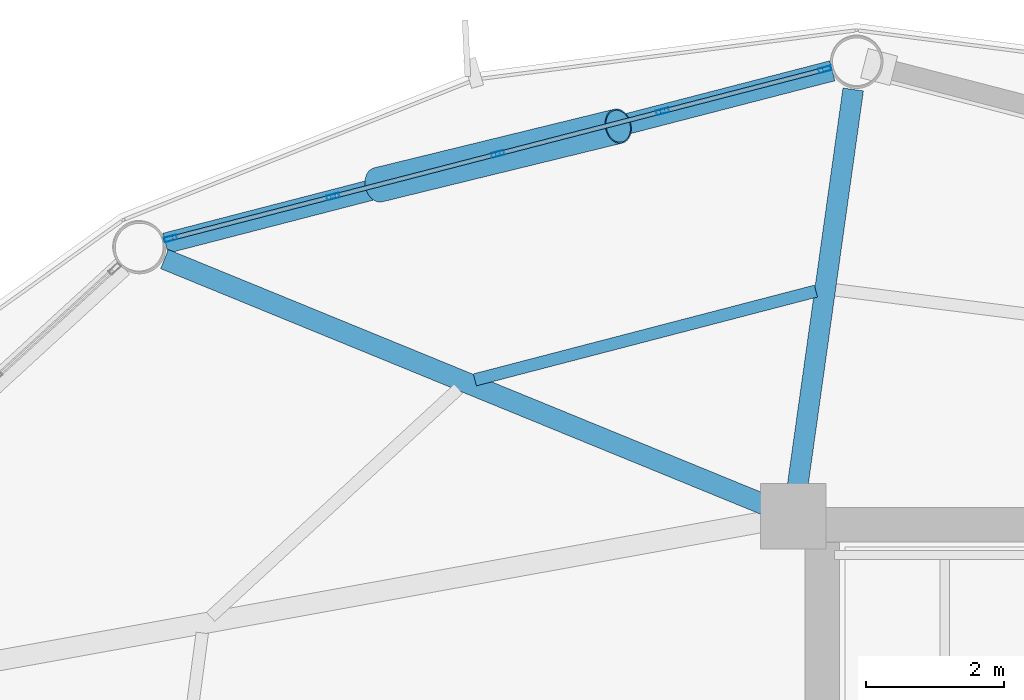
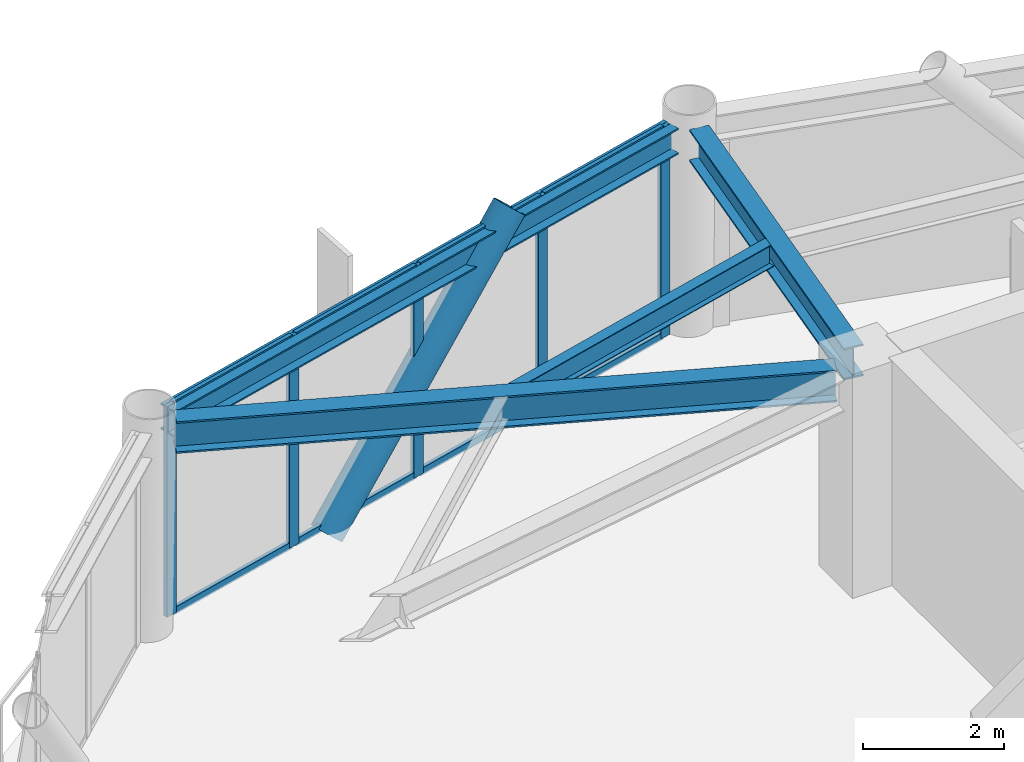
# One storey, part 17 of 26: 14 members, 4 beams, 1 element without a shape of its own.
"""IFC4 building model written with IfcOpenShell, lengths in metres."""

from ifc_helpers import new_model, si_unit, direction, frame, origin, origin_2d, place, context, subcontext, project, spatial, hollow_rectangle, hollow_circle, i_section, extrude, material, layer, layer_set, material_profile, profile_set, type_object, element, aggregate, save


model = new_model("IFC4")

# Units and contexts
model_context = context("Model", 3, precision=1e-05, world=origin(), true_north=direction((0.0, 1.0)))
body_context = subcontext(model_context, "Body", "Model", "MODEL_VIEW")
ifc_project = project(units=[si_unit("LENGTHUNIT", "METRE"), si_unit("AREAUNIT", "SQUARE_METRE"), si_unit("VOLUMEUNIT", "CUBIC_METRE"), si_unit("PLANEANGLEUNIT", "RADIAN"), si_unit("MASSUNIT", "GRAM", prefix="KILO")], contexts=[model_context])

# Site, building, storey
site_placement = place(None, origin())
site = spatial("IfcSite", under=ifc_project, at=site_placement, CompositionType="ELEMENT")
building_placement = place(site_placement, origin())
building = spatial("IfcBuilding", under=site, at=building_placement, Name="Varnakorn Sky Granary", CompositionType="ELEMENT")
storey_placement = place(building_placement, frame((0.0, 0.0, 138.300048828125)))
storey = spatial("IfcBuildingStorey", under=building, at=storey_placement, Name="L34", CompositionType="ELEMENT", Elevation=138.300048828125)

# Beams
ifc_material_1 = material(Name="Steel S355JR", Category="steel")
ifc_material_profile_1 = material_profile(ifc_material_1, i_section(OverallWidth=0.300048828125, OverallDepth=0.550048828125, WebThickness=0.014892578125, FlangeThickness=0.029052734375, at=origin_2d()), Name="HE 550 B")
ifc_profile_set_1 = profile_set([ifc_material_profile_1], Name="Steel S355JR")
beam_type_1 = type_object("IfcBeamType", Name="BM-RAD-Z3", PredefinedType="BEAM", material=ifc_profile_set_1)
beam_1_placement = place(storey_placement, frame((-2.36181640625, 13.035888671875, 3.364990234375), z_axis=(0.13884624558, 0.990313950264, 0.0), x_axis=(-0.990313950264, 0.13884624558, 0.0)))
element("IfcBeam", 1, at=beam_1_placement, inside=storey, type_object=beam_type_1, Name="Radial Floor Girder RG04 L34", PredefinedType="BEAM", context=body_context, shape_type="SweptSolid", body=[
    extrude(i_section(OverallWidth=0.300048828125, OverallDepth=0.550048828125, WebThickness=0.014892578125, FlangeThickness=0.029052734375, at=origin_2d()), origin(), (0.0, 0.0, 1.0), 5.84130859375),
])
beam_2_placement = place(storey_placement, frame((-2.80859375, 12.779052734375, 3.364990234375), z_axis=(-0.925494257641, 0.378761638863, 0.0), x_axis=(-0.378761638863, -0.925494257641, 0.0)))
element("IfcBeam", 2, at=beam_2_placement, inside=storey, type_object=beam_type_1, Name="Radial Floor Girder RG05 L34", PredefinedType="BEAM", context=body_context, shape_type="SweptSolid", body=[
    extrude(i_section(OverallWidth=0.300048828125, OverallDepth=0.550048828125, WebThickness=0.014892578125, FlangeThickness=0.029052734375, at=origin_2d()), origin(), (0.0, 0.0, 1.0), 9.447509765625),
])
ifc_material_profile_2 = material_profile(ifc_material_1, i_section(OverallWidth=0.179931640625, OverallDepth=0.39990234375, WebThickness=0.008544921875, FlangeThickness=0.013427734375, at=origin_2d()), Name="IPE 400")
ifc_profile_set_2 = profile_set([ifc_material_profile_2], Name="Steel S355JR")
beam_type_2 = type_object("IfcBeamType", Name="BM-SEC-Z3", PredefinedType="BEAM", material=ifc_profile_set_2)
beam_3_placement = place(storey_placement, frame((-2.091796875, 15.892822265625, 3.43994140625), z_axis=(-0.96775137288, -0.251907285104, 0.0), x_axis=(0.251907285104, -0.96775137288, 0.0)))
element("IfcBeam", 3, at=beam_3_placement, inside=storey, type_object=beam_type_2, Name="Secondary Floor Chord Beam MSB04 L34", PredefinedType="BEAM", context=body_context, shape_type="SweptSolid", body=[
    extrude(i_section(OverallWidth=0.179931640625, OverallDepth=0.39990234375, WebThickness=0.008544921875, FlangeThickness=0.013427734375, at=origin_2d()), origin(), (0.0, 0.0, 1.0), 5.1181640625),
])
ifc_material_profile_3 = material_profile(ifc_material_1, i_section(OverallWidth=0.300048828125, OverallDepth=0.449951171875, WebThickness=0.013916015625, FlangeThickness=0.02587890625, at=origin_2d()), Name="HE 450 B")
ifc_profile_set_3 = profile_set([ifc_material_profile_3], Name="Steel S355JR")
beam_type_3 = type_object("IfcBeamType", Name="BM-SPD-Z3", PredefinedType="SPANDREL", material=ifc_profile_set_3)
beam_4_placement = place(storey_placement, frame((-1.854248046875, 19.09130859375, 3.4150390625), z_axis=(-0.968156603597, -0.250345343299, 0.0), x_axis=(0.250345343299, -0.968156603597, 0.0)))
element("IfcBeam", 4, at=beam_4_placement, inside=storey, type_object=beam_type_3, Name="Perimeter Spandrel Ring Beam RB04 L34", PredefinedType="SPANDREL", context=body_context, shape_type="SweptSolid", body=[
    extrude(i_section(OverallWidth=0.300048828125, OverallDepth=0.449951171875, WebThickness=0.013916015625, FlangeThickness=0.02587890625, at=origin_2d()), origin(), (0.0, 0.0, 1.0), 10.000732421875),
])

# Curtain wall, members
ifc_material_2 = material(Name="Anodised Bronze Aluminium Alloy 6063-T6", Category="aluminium")
ifc_layer = layer(ifc_material_2, 0.179931640625, Name="Anodised Bronze Aluminium Alloy 6063-T6")
ifc_layer_set = layer_set([ifc_layer], Name="Anodised Bronze Aluminium Alloy 6063-T6")
curtain_wall_type = type_object("IfcCurtainWallType", Name="CW-FRM-2", PredefinedType="USERDEFINED", material=ifc_layer_set)
curtain_wall_placement = place(storey_placement, origin())
curtain_wall = element("IfcCurtainWall", 5, at=curtain_wall_placement, inside=storey, type_object=curtain_wall_type, Name="Unitised Curtain Wall CW4 CW-L34-B04", ObjectType="CURTAIN WALL", PredefinedType="USERDEFINED")
ifc_material_profile_4 = material_profile(ifc_material_2, hollow_rectangle(XDim=0.070068359375, YDim=0.18505859375, WallThickness=0.00390625, at=origin_2d()), Name="ALU MULL 70x185")
ifc_profile_set_4 = profile_set([ifc_material_profile_4], Name="Anodised Bronze Aluminium Alloy 6063-T6")
member_type_1 = type_object("IfcMemberType", Name="CW-FRM-2-MULL", PredefinedType="MULLION", material=ifc_profile_set_4)
member_1_placement = place(storey_placement, frame((-11.463134765625, 16.65673828125, 0.0), z_axis=(0.0, 0.0, 1.0), x_axis=(-0.250174194808, 0.968200842931, 0.0)))
member_1 = element("IfcMember", 6, at=member_1_placement, type_object=member_type_1, Name="CW4 mullion 1", PredefinedType="MULLION", context=body_context, shape_type="SweptSolid", body=[
    extrude(hollow_rectangle(XDim=0.070068359375, YDim=0.18505859375, WallThickness=0.00390625, at=origin_2d()), origin(), (0.0, 0.0, 1.0), 3.639892578125),
])
member_2_placement = place(storey_placement, frame((-9.1044921875, 17.26611328125, 0.0), z_axis=(0.0, 0.0, 1.0), x_axis=(-0.250174194808, 0.968200842931, 0.0)))
member_2 = element("IfcMember", 7, at=member_2_placement, type_object=member_type_1, Name="CW4 mullion 2", PredefinedType="MULLION", context=body_context, shape_type="SweptSolid", body=[
    extrude(hollow_rectangle(XDim=0.070068359375, YDim=0.18505859375, WallThickness=0.00390625, at=origin_2d()), origin(), (0.0, 0.0, 1.0), 3.639892578125),
])
member_3_placement = place(storey_placement, frame((-6.7119140625, 17.88427734375, 0.0), z_axis=(0.0, 0.0, 1.0), x_axis=(-0.250174194808, 0.968200842931, 0.0)))
member_3 = element("IfcMember", 8, at=member_3_placement, type_object=member_type_1, Name="CW4 mullion 3", PredefinedType="MULLION", context=body_context, shape_type="SweptSolid", body=[
    extrude(hollow_rectangle(XDim=0.070068359375, YDim=0.18505859375, WallThickness=0.00390625, at=origin_2d()), origin(), (0.0, 0.0, 1.0), 3.639892578125),
])
member_4_placement = place(storey_placement, frame((-4.319580078125, 18.50244140625, 0.0), z_axis=(0.0, 0.0, 1.0), x_axis=(-0.250174194808, 0.968200842931, 0.0)))
member_4 = element("IfcMember", 9, at=member_4_placement, type_object=member_type_1, Name="CW4 mullion 4", PredefinedType="MULLION", context=body_context, shape_type="SweptSolid", body=[
    extrude(hollow_rectangle(XDim=0.070068359375, YDim=0.18505859375, WallThickness=0.00390625, at=origin_2d()), origin(), (0.0, 0.0, 1.0), 3.639892578125),
])
member_5_placement = place(storey_placement, frame((-1.9609375, 19.112060546875, 0.0), z_axis=(0.0, 0.0, 1.0), x_axis=(-0.250174194808, 0.968200842931, 0.0)))
member_5 = element("IfcMember", 10, at=member_5_placement, type_object=member_type_1, Name="CW4 mullion 5", PredefinedType="MULLION", context=body_context, shape_type="SweptSolid", body=[
    extrude(hollow_rectangle(XDim=0.070068359375, YDim=0.18505859375, WallThickness=0.00390625, at=origin_2d()), origin(), (0.0, 0.0, 1.0), 3.639892578125),
])
ifc_material_profile_5 = material_profile(ifc_material_2, hollow_rectangle(XDim=0.06494140625, YDim=0.1201171875, WallThickness=0.00341796875, at=origin_2d()), Name="ALU TRAN 65x120")
ifc_profile_set_5 = profile_set([ifc_material_profile_5], Name="Anodised Bronze Aluminium Alloy 6063-T6")
member_type_2 = type_object("IfcMemberType", Name="CW-FRM-2-TRAN", PredefinedType="USERDEFINED", material=ifc_profile_set_5)
member_6_placement = place(storey_placement, frame((-11.42919921875, 16.66552734375, 0.032470703125), z_axis=(0.968212861951, 0.250127675303, 0.0), x_axis=(-0.250127675303, 0.968212861951, 0.0)))
member_6 = element("IfcMember", 11, at=member_6_placement, type_object=member_type_2, Name="CW4 transom 1.1", ObjectType="TRANSOM", PredefinedType="USERDEFINED", context=body_context, shape_type="SweptSolid", body=[
    extrude(hollow_rectangle(XDim=0.06494140625, YDim=0.1201171875, WallThickness=0.00341796875, at=origin_2d()), origin(), (0.0, 0.0, 1.0), 2.365966796875),
])
member_7_placement = place(storey_placement, frame((-11.42919921875, 16.66552734375, 3.607421875), z_axis=(0.968212861951, 0.250127675303, 0.0), x_axis=(-0.250127675303, 0.968212861951, 0.0)))
member_7 = element("IfcMember", 12, at=member_7_placement, type_object=member_type_2, Name="CW4 transom 1.2", ObjectType="TRANSOM", PredefinedType="USERDEFINED", context=body_context, shape_type="SweptSolid", body=[
    extrude(hollow_rectangle(XDim=0.06494140625, YDim=0.1201171875, WallThickness=0.00341796875, at=origin_2d()), origin(), (0.0, 0.0, 1.0), 2.365966796875),
])
member_8_placement = place(storey_placement, frame((-9.070556640625, 17.27490234375, 0.032470703125), z_axis=(0.968210625911, 0.250136330576, 0.0), x_axis=(-0.250136330576, 0.968210625911, 0.0)))
member_8 = element("IfcMember", 13, at=member_8_placement, type_object=member_type_2, Name="CW4 transom 2.1", ObjectType="TRANSOM", PredefinedType="USERDEFINED", context=body_context, shape_type="SweptSolid", body=[
    extrude(hollow_rectangle(XDim=0.06494140625, YDim=0.1201171875, WallThickness=0.00341796875, at=origin_2d()), origin(), (0.0, 0.0, 1.0), 2.401123046875),
])
member_9_placement = place(storey_placement, frame((-9.070556640625, 17.27490234375, 3.607421875), z_axis=(0.968210625911, 0.250136330576, 0.0), x_axis=(-0.250136330576, 0.968210625911, 0.0)))
member_9 = element("IfcMember", 14, at=member_9_placement, type_object=member_type_2, Name="CW4 transom 2.2", ObjectType="TRANSOM", PredefinedType="USERDEFINED", context=body_context, shape_type="SweptSolid", body=[
    extrude(hollow_rectangle(XDim=0.06494140625, YDim=0.1201171875, WallThickness=0.00341796875, at=origin_2d()), origin(), (0.0, 0.0, 1.0), 2.401123046875),
])
member_10_placement = place(storey_placement, frame((-6.67822265625, 17.89306640625, 0.032470703125), z_axis=(0.968216986994, 0.250111707236, 0.0), x_axis=(-0.250111707236, 0.968216986994, 0.0)))
member_10 = element("IfcMember", 15, at=member_10_placement, type_object=member_type_2, Name="CW4 transom 3.1", ObjectType="TRANSOM", PredefinedType="USERDEFINED", context=body_context, shape_type="SweptSolid", body=[
    extrude(hollow_rectangle(XDim=0.06494140625, YDim=0.1201171875, WallThickness=0.00341796875, at=origin_2d()), origin(), (0.0, 0.0, 1.0), 2.4013671875),
])
member_11_placement = place(storey_placement, frame((-6.67822265625, 17.89306640625, 3.607421875), z_axis=(0.968216986994, 0.250111707236, 0.0), x_axis=(-0.250111707236, 0.968216986994, 0.0)))
member_11 = element("IfcMember", 16, at=member_11_placement, type_object=member_type_2, Name="CW4 transom 3.2", ObjectType="TRANSOM", PredefinedType="USERDEFINED", context=body_context, shape_type="SweptSolid", body=[
    extrude(hollow_rectangle(XDim=0.06494140625, YDim=0.1201171875, WallThickness=0.00341796875, at=origin_2d()), origin(), (0.0, 0.0, 1.0), 2.4013671875),
])
member_12_placement = place(storey_placement, frame((-4.28564453125, 18.51123046875, 0.032470703125), z_axis=(0.968187868025, 0.250224403705, 0.0), x_axis=(-0.250224403705, 0.968187868025, 0.0)))
member_12 = element("IfcMember", 17, at=member_12_placement, type_object=member_type_2, Name="CW4 transom 4.1", ObjectType="TRANSOM", PredefinedType="USERDEFINED", context=body_context, shape_type="SweptSolid", body=[
    extrude(hollow_rectangle(XDim=0.06494140625, YDim=0.1201171875, WallThickness=0.00341796875, at=origin_2d()), origin(), (0.0, 0.0, 1.0), 2.365966796875),
])
member_13_placement = place(storey_placement, frame((-4.28564453125, 18.51123046875, 3.607421875), z_axis=(0.968187868025, 0.250224403705, 0.0), x_axis=(-0.250224403705, 0.968187868025, 0.0)))
member_13 = element("IfcMember", 18, at=member_13_placement, type_object=member_type_2, Name="CW4 transom 4.2", ObjectType="TRANSOM", PredefinedType="USERDEFINED", context=body_context, shape_type="SweptSolid", body=[
    extrude(hollow_rectangle(XDim=0.06494140625, YDim=0.1201171875, WallThickness=0.00341796875, at=origin_2d()), origin(), (0.0, 0.0, 1.0), 2.365966796875),
])
aggregate(curtain_wall, [member_1, member_2, member_3, member_4, member_5, member_6, member_7, member_8, member_9, member_10, member_11, member_12, member_13])

# Member
ifc_material_3 = material(Name="Steel S460M", Category="steel")
ifc_material_profile_6 = material_profile(ifc_material_3, hollow_circle(Radius=0.25390625, WallThickness=0.01806640625, at=origin_2d()), Name="CHS 508x18")
ifc_profile_set_6 = profile_set([ifc_material_profile_6], Name="Steel S460M")
member_type_3 = type_object("IfcMemberType", Name="MB-DIAG-T2", PredefinedType="BRACE", material=ifc_profile_set_6)
member_14_placement = place(storey_placement, frame((-8.44921875, 17.435302734375, -0.130126953125), z_axis=(0.65587497999, 0.160328057727, 0.737646883358), x_axis=(-0.237457370677, 0.971397960216, 0.0)))
element("IfcMember", 19, at=member_14_placement, inside=storey, type_object=member_type_3, Name="Perimeter CHS Diagrid Brace DG04 L34", PredefinedType="BRACE", context=body_context, shape_type="SweptSolid", body=[
    extrude(hollow_circle(Radius=0.25390625, WallThickness=0.01806640625, at=origin_2d()), origin(), (0.0, 0.0, 1.0), 5.314453125),
])

save(model, "model.ifc")
